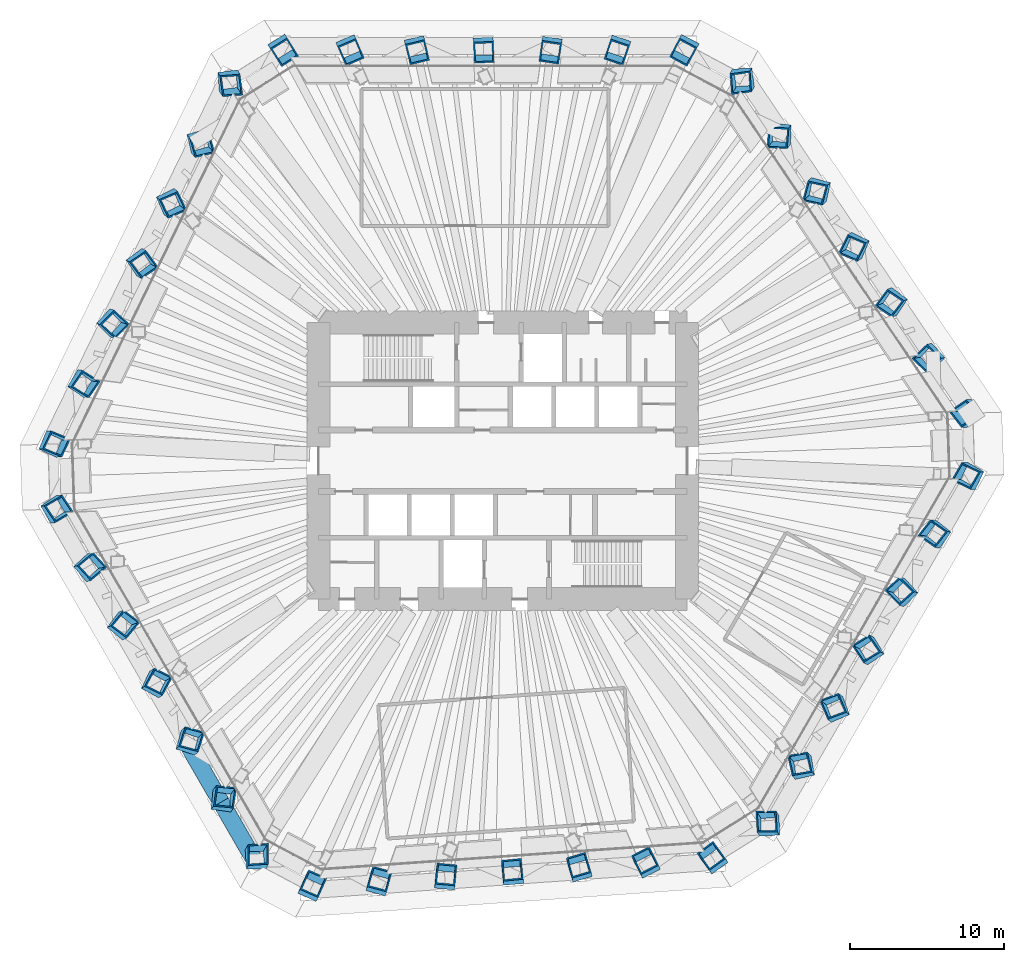
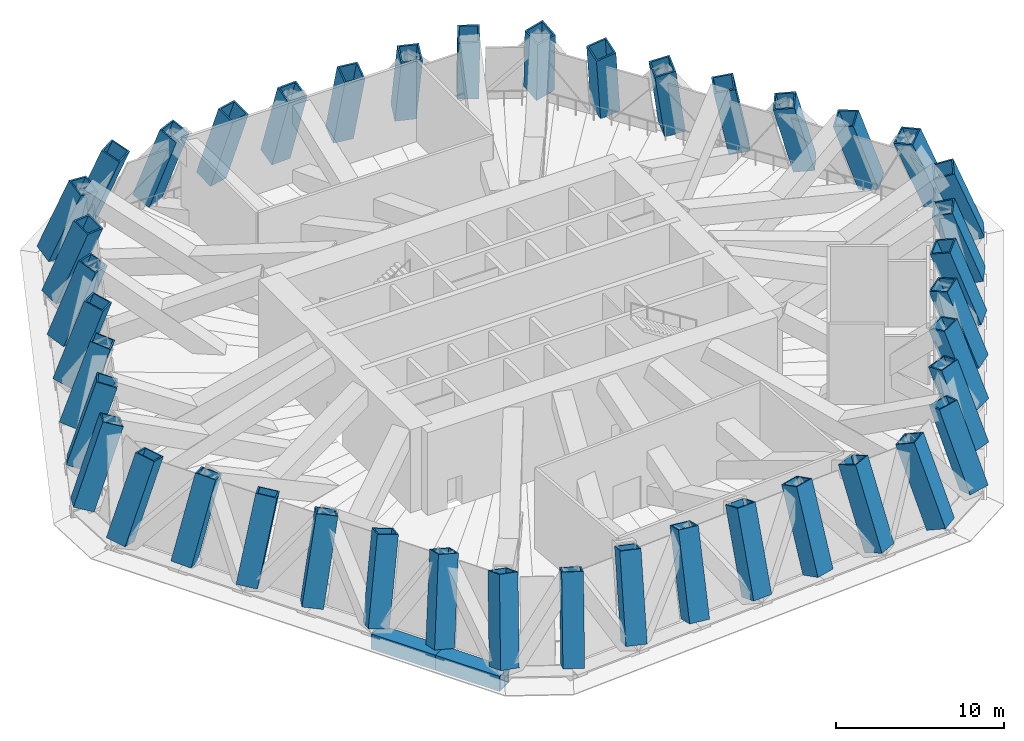
# One storey, part 1 of 12: 42 columns, 2 members.
"""IFC4 building model written with IfcOpenShell, lengths in metres."""

from ifc_helpers import new_model, si_unit, direction, frame, origin, origin_2d, place, context, subcontext, project, spatial, hollow_rectangle, extrude, clip, halfspace, material, material_profile, profile_set, type_object, element, save


model = new_model("IFC4")

# Units and contexts
model_context = context("Model", 3, precision=1e-05, world=origin(), true_north=direction((0.0, 1.0)))
body_context = subcontext(model_context, "Body", "Model", "MODEL_VIEW")
ifc_project = project(units=[si_unit("LENGTHUNIT", "METRE"), si_unit("AREAUNIT", "SQUARE_METRE"), si_unit("VOLUMEUNIT", "CUBIC_METRE"), si_unit("PLANEANGLEUNIT", "RADIAN"), si_unit("MASSUNIT", "GRAM", prefix="KILO")], contexts=[model_context])

# Site, building, storey
site_placement = place(None, origin())
site = spatial("IfcSite", under=ifc_project, at=site_placement, CompositionType="ELEMENT")
building_placement = place(site_placement, origin())
building = spatial("IfcBuilding", under=site, at=building_placement, Name="Qingtian Harvest Tower", CompositionType="ELEMENT")
storey_placement = place(building_placement, frame((0.0, 0.0, 97.0)))
storey = spatial("IfcBuildingStorey", under=building, at=storey_placement, Name="L19", CompositionType="ELEMENT", Elevation=97.0)

# Columns
ifc_material_1 = material(Name="Steel SM570MC", Category="steel")
ifc_material_profile_1 = material_profile(ifc_material_1, hollow_rectangle(XDim=1.300048828125, YDim=1.300048828125, WallThickness=0.10009765625, at=origin_2d()), Name="BOX1300x1300x100")
ifc_profile_set_1 = profile_set([ifc_material_profile_1], Name="Steel SM570MC")
column_type = type_object("IfcColumnType", Name="Raked tube column RK1 BOX1300x1300x100", PredefinedType="COLUMN", material=ifc_profile_set_1)
column_1_placement = place(storey_placement, frame((-14.471435546875, 27.0, 0.0), z_axis=(0.193855237376, -0.310228971397, 0.930686914192), x_axis=(-0.848044827073, -0.529924495824, 0.0)))
element("IfcColumn", 1, at=column_1_placement, inside=storey, type_object=column_type, Name="Raked tube column RK1 N0", PredefinedType="COLUMN", context=body_context, shape_type="Clipping", body=[
    clip(clip(extrude(hollow_rectangle(XDim=1.300048828125, YDim=1.300048828125, WallThickness=0.10009765625, at=origin_2d()), origin(), (0.0, 0.0, 1.0), 6.44677734375), halfspace(frame((0.0, 0.0, 0.255126953125), z_axis=(0.0, 0.0, -1.0), x_axis=(0.0, -1.0, 0.0)), False)), halfspace(frame((0.0, 0.0, 6.191650390625), z_axis=(0.0, 0.0, 1.0), x_axis=(0.0, 1.0, 0.0)), False)),
])
column_2_placement = place(storey_placement, frame((-10.06689453125, 27.0, 0.0), z_axis=(0.13539287358, -0.313315937958, 0.939947813873), x_axis=(-0.917958510973, -0.39667640733, 0.0)))
element("IfcColumn", 2, at=column_2_placement, inside=storey, type_object=column_type, Name="Raked tube column RK1 N1", PredefinedType="COLUMN", context=body_context, shape_type="Clipping", body=[
    clip(clip(extrude(hollow_rectangle(XDim=1.300048828125, YDim=1.300048828125, WallThickness=0.10009765625, at=origin_2d()), origin(), (0.0, 0.0, 1.0), 6.38330078125), halfspace(frame((0.0, 0.0, 0.235595703125), z_axis=(0.0, 0.0, -1.0), x_axis=(0.0, -1.0, 0.0)), False)), halfspace(frame((0.0, 0.0, 6.147705078125), z_axis=(0.0, 0.0, 1.0), x_axis=(0.0, 1.0, 0.0)), False)),
])
column_3_placement = place(storey_placement, frame((-5.662353515625, 27.0, 0.0), z_axis=(0.075482606541, -0.315325605701, 0.945976817104), x_axis=(-0.972523990796, -0.232802678949, 0.0)))
element("IfcColumn", 3, at=column_3_placement, inside=storey, type_object=column_type, Name="Raked tube column RK1 N2", PredefinedType="COLUMN", context=body_context, shape_type="Clipping", body=[
    clip(clip(extrude(hollow_rectangle(XDim=1.300048828125, YDim=1.300048828125, WallThickness=0.10009765625, at=origin_2d()), origin(), (0.0, 0.0, 1.0), 6.342529296875), halfspace(frame((0.0, 0.0, 0.222412109375), z_axis=(0.0, 0.0, -1.0), x_axis=(0.0, -1.0, 0.0)), False)), halfspace(frame((0.0, 0.0, 6.1201171875), z_axis=(0.0, 0.0, 1.0), x_axis=(0.0, 1.0, 0.0)), False)),
])
column_4_placement = place(storey_placement, frame((-1.257568359375, 27.0, 0.0), z_axis=(0.014705780072, -0.316193570465, 0.948580711394), x_axis=(-0.998920217686, -0.046458569695, 0.0)))
element("IfcColumn", 4, at=column_4_placement, inside=storey, type_object=column_type, Name="Raked tube column RK1 N3", PredefinedType="COLUMN", context=body_context, shape_type="Clipping", body=[
    clip(clip(extrude(hollow_rectangle(XDim=1.300048828125, YDim=1.300048828125, WallThickness=0.10009765625, at=origin_2d()), origin(), (0.0, 0.0, 1.0), 6.3251953125), halfspace(frame((0.0, 0.0, 0.214599609375), z_axis=(0.0, 0.0, -1.0), x_axis=(0.0, -1.0, 0.0)), False)), halfspace(frame((0.0, 0.0, 6.110595703125), z_axis=(0.0, 0.0, 1.0), x_axis=(0.0, 1.0, 0.0)), False)),
])
column_5_placement = place(storey_placement, frame((3.14697265625, 27.0, 0.0), z_axis=(-0.046195851301, -0.315890161816, 0.947670485449), x_axis=(-0.989475410036, 0.144701115872, 0.0)))
element("IfcColumn", 5, at=column_5_placement, inside=storey, type_object=column_type, Name="Raked tube column RK1 N4", PredefinedType="COLUMN", context=body_context, shape_type="Clipping", body=[
    clip(clip(extrude(hollow_rectangle(XDim=1.300048828125, YDim=1.300048828125, WallThickness=0.10009765625, at=origin_2d()), origin(), (0.0, 0.0, 1.0), 6.331298828125), halfspace(frame((0.0, 0.0, 0.218505859375), z_axis=(0.0, 0.0, -1.0), x_axis=(0.0, -1.0, 0.0)), False)), halfspace(frame((0.0, 0.0, 6.11279296875), z_axis=(0.0, 0.0, 1.0), x_axis=(0.0, 1.0, 0.0)), False)),
])
column_6_placement = place(storey_placement, frame((7.551513671875, 27.0, 0.0), z_axis=(-0.106549202468, -0.314427617657, 0.94328285297), x_axis=(-0.947099238441, 0.320940855214, 0.0)))
element("IfcColumn", 6, at=column_6_placement, inside=storey, type_object=column_type, Name="Raked tube column RK1 N5", PredefinedType="COLUMN", context=body_context, shape_type="Clipping", body=[
    clip(clip(extrude(hollow_rectangle(XDim=1.300048828125, YDim=1.300048828125, WallThickness=0.10009765625, at=origin_2d()), origin(), (0.0, 0.0, 1.0), 6.36083984375), halfspace(frame((0.0, 0.0, 0.228515625), z_axis=(0.0, 0.0, -1.0), x_axis=(0.0, -1.0, 0.0)), False)), halfspace(frame((0.0, 0.0, 6.13232421875), z_axis=(0.0, 0.0, 1.0), x_axis=(0.0, 1.0, 0.0)), False)),
])
column_7_placement = place(storey_placement, frame((11.9560546875, 27.0, 0.0), z_axis=(-0.16578544954, -0.311851757205, 0.935555271616), x_axis=(-0.882981710478, 0.469407391251, 0.0)))
element("IfcColumn", 7, at=column_7_placement, inside=storey, type_object=column_type, Name="Raked tube column RK1 N6", PredefinedType="COLUMN", context=body_context, shape_type="Clipping", body=[
    clip(clip(extrude(hollow_rectangle(XDim=1.300048828125, YDim=1.300048828125, WallThickness=0.10009765625, at=origin_2d()), origin(), (0.0, 0.0, 1.0), 6.413330078125), halfspace(frame((0.0, 0.0, 0.2451171875), z_axis=(0.0, 0.0, -1.0), x_axis=(0.0, -1.0, 0.0)), False)), halfspace(frame((0.0, 0.0, 6.168212890625), z_axis=(0.0, 0.0, 1.0), x_axis=(0.0, 1.0, 0.0)), False)),
])
column_8_placement = place(storey_placement, frame((15.6982421875, 25.01025390625, 0.0), z_axis=(-0.165822470743, -0.311849788872, 0.935549366617), x_axis=(-0.129591959705, 0.947347157407, 0.292812717163)))
element("IfcColumn", 8, at=column_8_placement, inside=storey, type_object=column_type, Name="Raked tube column RK1 NE0", PredefinedType="COLUMN", context=body_context, shape_type="Clipping", body=[
    clip(clip(extrude(hollow_rectangle(XDim=1.300048828125, YDim=1.300048828125, WallThickness=0.10009765625, at=origin_2d()), origin(), (0.0, 0.0, 1.0), 6.413330078125), halfspace(frame((0.0, 0.0, 0.27490234375), z_axis=(0.0, 0.0, -1.0), x_axis=(0.0, -1.0, 0.0)), False)), halfspace(frame((0.0, 0.0, 6.138427734375), z_axis=(0.0, 0.0, 1.0), x_axis=(0.0, 1.0, 0.0)), False)),
])
column_9_placement = place(storey_placement, frame((18.1611328125, 21.358642578125, 0.0), z_axis=(-0.201046770669, -0.264185743129, 0.943284733859), x_axis=(0.028590159268, 0.960953806647, 0.27522787701)))
element("IfcColumn", 9, at=column_9_placement, inside=storey, type_object=column_type, Name="Raked tube column RK1 NE1", PredefinedType="COLUMN", context=body_context, shape_type="Clipping", body=[
    clip(clip(extrude(hollow_rectangle(XDim=1.300048828125, YDim=1.300048828125, WallThickness=0.10009765625, at=origin_2d()), origin(), (0.0, 0.0, 1.0), 6.36083984375), halfspace(frame((0.0, 0.0, 0.242919921875), z_axis=(0.0, 0.0, -1.0), x_axis=(0.0, -1.0, 0.0)), False)), halfspace(frame((0.0, 0.0, 6.117919921875), z_axis=(0.0, 0.0, 1.0), x_axis=(0.0, 1.0, 0.0)), False)),
])
column_10_placement = place(storey_placement, frame((20.624267578125, 17.70703125, 0.0), z_axis=(-0.236070486655, -0.214900493651, 0.947675315263), x_axis=(0.204550804446, 0.942398461718, 0.264658473795)))
element("IfcColumn", 10, at=column_10_placement, inside=storey, type_object=column_type, Name="Raked tube column RK1 NE2", PredefinedType="COLUMN", context=body_context, shape_type="Clipping", body=[
    clip(clip(extrude(hollow_rectangle(XDim=1.300048828125, YDim=1.300048828125, WallThickness=0.10009765625, at=origin_2d()), origin(), (0.0, 0.0, 1.0), 6.331298828125), halfspace(frame((0.0, 0.0, 0.218505859375), z_axis=(0.0, 0.0, -1.0), x_axis=(0.0, -1.0, 0.0)), False)), halfspace(frame((0.0, 0.0, 6.11279296875), z_axis=(0.0, 0.0, 1.0), x_axis=(0.0, 1.0, 0.0)), False)),
])
column_11_placement = place(storey_placement, frame((23.08740234375, 14.0556640625, 0.0), z_axis=(-0.27037667121, -0.164619058203, 0.948576312872), x_axis=(0.380895346697, 0.886593986723, 0.262430633829)))
element("IfcColumn", 11, at=column_11_placement, inside=storey, type_object=column_type, Name="Raked tube column RK1 NE3", PredefinedType="COLUMN", context=body_context, shape_type="Clipping", body=[
    clip(clip(extrude(hollow_rectangle(XDim=1.300048828125, YDim=1.300048828125, WallThickness=0.10009765625, at=origin_2d()), origin(), (0.0, 0.0, 1.0), 6.3251953125), halfspace(frame((0.0, 0.0, 0.2109375), z_axis=(0.0, 0.0, -1.0), x_axis=(0.0, -1.0, 0.0)), False)), halfspace(frame((0.0, 0.0, 6.1142578125), z_axis=(0.0, 0.0, 1.0), x_axis=(0.0, 1.0, 0.0)), False)),
])
column_12_placement = place(storey_placement, frame((25.55029296875, 10.404052734375, 0.0), z_axis=(-0.303623148474, -0.113781697121, 0.945973947374), x_axis=(0.53814609826, 0.798836854124, 0.268809332839)))
element("IfcColumn", 12, at=column_12_placement, inside=storey, type_object=column_type, Name="Raked tube column RK1 NE4", PredefinedType="COLUMN", context=body_context, shape_type="Clipping", body=[
    clip(clip(extrude(hollow_rectangle(XDim=1.300048828125, YDim=1.300048828125, WallThickness=0.10009765625, at=origin_2d()), origin(), (0.0, 0.0, 1.0), 6.3427734375), halfspace(frame((0.0, 0.0, 0.240478515625), z_axis=(0.0, 0.0, -1.0), x_axis=(0.0, -1.0, 0.0)), False)), halfspace(frame((0.0, 0.0, 6.102294921875), z_axis=(0.0, 0.0, 1.0), x_axis=(0.0, 1.0, 0.0)), False)),
])
column_13_placement = place(storey_placement, frame((28.013427734375, 6.75244140625, 0.0), z_axis=(-0.335460878036, -0.062953894111, 0.939948299921), x_axis=(0.662742965155, 0.693327380827, 0.282964494475)))
element("IfcColumn", 13, at=column_13_placement, inside=storey, type_object=column_type, Name="Raked tube column RK1 NE5", PredefinedType="COLUMN", context=body_context, shape_type="Clipping", body=[
    clip(clip(extrude(hollow_rectangle(XDim=1.300048828125, YDim=1.300048828125, WallThickness=0.10009765625, at=origin_2d()), origin(), (0.0, 0.0, 1.0), 6.38330078125), halfspace(frame((0.0, 0.0, 0.280029296875), z_axis=(0.0, 0.0, -1.0), x_axis=(0.0, -1.0, 0.0)), False)), halfspace(frame((0.0, 0.0, 6.103271484375), z_axis=(0.0, 0.0, 1.0), x_axis=(0.0, 1.0, 0.0)), False)),
])
for number, where, z_axis, x_axis, name in (
    (14, (30.476318359375, 3.100830078125, 0.0), (-0.365594474061, -0.012762102523, 0.930686740679), (0.751596285175, 0.585770083952, 0.30327616599), "Raked tube column RK1 NE6"),
    (15, (30.618408203125, -0.96728515625, 0.0), (-0.365594474061, -0.012762102523, 0.930686740679), (0.822951012541, -0.471577128278, 0.316806949172), "Raked tube column RK1 SE0"),
):
    element("IfcColumn", number, at=place(storey_placement, frame(where, z_axis=z_axis, x_axis=x_axis)), inside=storey, type_object=column_type, Name=name, PredefinedType="COLUMN", context=body_context, shape_type="Clipping", body=[
        clip(clip(extrude(hollow_rectangle(XDim=1.300048828125, YDim=1.300048828125, WallThickness=0.10009765625, at=origin_2d()), origin(), (0.0, 0.0, 1.0), 6.44677734375), halfspace(frame((0.0, 0.0, 0.327392578125), z_axis=(0.0, 0.0, -1.0), x_axis=(0.0, -1.0, 0.0)), False)), halfspace(frame((0.0, 0.0, 6.119384765625), z_axis=(0.0, 0.0, 1.0), x_axis=(0.0, 1.0, 0.0)), False)),
    ])
column_14_placement = place(storey_placement, frame((28.416015625, -4.78173828125, 0.0), z_axis=(-0.339019884495, 0.039394232968, 0.939954047986), x_axis=(0.750871570405, -0.590615859931, 0.295575355461)))
element("IfcColumn", 16, at=column_14_placement, inside=storey, type_object=column_type, Name="Raked tube column RK1 SE1", PredefinedType="COLUMN", context=body_context, shape_type="Clipping", body=[
    clip(clip(extrude(hollow_rectangle(XDim=1.300048828125, YDim=1.300048828125, WallThickness=0.10009765625, at=origin_2d()), origin(), (0.0, 0.0, 1.0), 6.38330078125), halfspace(frame((0.0, 0.0, 0.28515625), z_axis=(0.0, 0.0, -1.0), x_axis=(0.0, -1.0, 0.0)), False)), halfspace(frame((0.0, 0.0, 6.09814453125), z_axis=(0.0, 0.0, 1.0), x_axis=(0.0, 1.0, 0.0)), False)),
])
column_15_placement = place(storey_placement, frame((26.2138671875, -8.596435546875, 0.0), z_axis=(-0.310821675411, 0.092303452339, 0.945975665005), x_axis=(0.643002166591, -0.712531180262, 0.280798025126)))
element("IfcColumn", 17, at=column_15_placement, inside=storey, type_object=column_type, Name="Raked tube column RK1 SE2", PredefinedType="COLUMN", context=body_context, shape_type="Clipping", body=[
    clip(clip(extrude(hollow_rectangle(XDim=1.300048828125, YDim=1.300048828125, WallThickness=0.10009765625, at=origin_2d()), origin(), (0.0, 0.0, 1.0), 6.3427734375), halfspace(frame((0.0, 0.0, 0.242919921875), z_axis=(0.0, 0.0, -1.0), x_axis=(0.0, -1.0, 0.0)), False)), halfspace(frame((0.0, 0.0, 6.099853515625), z_axis=(0.0, 0.0, 1.0), x_axis=(0.0, 1.0, 0.0)), False)),
])
column_16_placement = place(storey_placement, frame((24.011474609375, -12.410888671875, 0.0), z_axis=(-0.281185331584, 0.145359500171, 0.948580742484), x_axis=(0.500142058004, -0.821408540602, 0.27412758205)))
element("IfcColumn", 18, at=column_16_placement, inside=storey, type_object=column_type, Name="Raked tube column RK1 SE3", PredefinedType="COLUMN", context=body_context, shape_type="Clipping", body=[
    clip(clip(extrude(hollow_rectangle(XDim=1.300048828125, YDim=1.300048828125, WallThickness=0.10009765625, at=origin_2d()), origin(), (0.0, 0.0, 1.0), 6.3251953125), halfspace(frame((0.0, 0.0, 0.211181640625), z_axis=(0.0, 0.0, -1.0), x_axis=(0.0, -1.0, 0.0)), False)), halfspace(frame((0.0, 0.0, 6.114013671875), z_axis=(0.0, 0.0, 1.0), x_axis=(0.0, 1.0, 0.0)), False)),
])
column_17_placement = place(storey_placement, frame((21.809326171875, -16.225341796875, 0.0), z_axis=(-0.250490721891, 0.19793240078, 0.947669332081), x_axis=(0.33394448632, -0.901132039316, 0.276481695188)))
element("IfcColumn", 19, at=column_17_placement, inside=storey, type_object=column_type, Name="Raked tube column RK1 SE4", PredefinedType="COLUMN", context=body_context, shape_type="Clipping", body=[
    clip(clip(extrude(hollow_rectangle(XDim=1.300048828125, YDim=1.300048828125, WallThickness=0.10009765625, at=origin_2d()), origin(), (0.0, 0.0, 1.0), 6.331298828125), halfspace(frame((0.0, 0.0, 0.2177734375), z_axis=(0.0, 0.0, -1.0), x_axis=(0.0, -1.0, 0.0)), False)), halfspace(frame((0.0, 0.0, 6.113525390625), z_axis=(0.0, 0.0, 1.0), x_axis=(0.0, 1.0, 0.0)), False)),
])
column_18_placement = place(storey_placement, frame((19.60693359375, -20.039794921875, 0.0), z_axis=(-0.219010341057, 0.249486017678, 0.943287441607), x_axis=(0.163170656599, -0.943778965089, 0.287500611964)))
element("IfcColumn", 20, at=column_18_placement, inside=storey, type_object=column_type, Name="Raked tube column RK1 SE5", PredefinedType="COLUMN", context=body_context, shape_type="Clipping", body=[
    clip(clip(extrude(hollow_rectangle(XDim=1.300048828125, YDim=1.300048828125, WallThickness=0.10009765625, at=origin_2d()), origin(), (0.0, 0.0, 1.0), 6.36083984375), halfspace(frame((0.0, 0.0, 0.240478515625), z_axis=(0.0, 0.0, -1.0), x_axis=(0.0, -1.0, 0.0)), False)), halfspace(frame((0.0, 0.0, 6.120361328125), z_axis=(0.0, 0.0, 1.0), x_axis=(0.0, 1.0, 0.0)), False)),
])
column_19_placement = place(storey_placement, frame((17.404541015625, -23.854248046875, 0.0), z_axis=(-0.187141835255, 0.299518299388, 0.935556904645), x_axis=(0.005283960955, -0.952062036387, 0.305859377211)))
element("IfcColumn", 21, at=column_19_placement, inside=storey, type_object=column_type, Name="Raked tube column RK1 SE6", PredefinedType="COLUMN", context=body_context, shape_type="Clipping", body=[
    clip(clip(extrude(hollow_rectangle(XDim=1.300048828125, YDim=1.300048828125, WallThickness=0.10009765625, at=origin_2d()), origin(), (0.0, 0.0, 1.0), 6.413330078125), halfspace(frame((0.0, 0.0, 0.2705078125), z_axis=(0.0, 0.0, -1.0), x_axis=(0.0, -1.0, 0.0)), False)), halfspace(frame((0.0, 0.0, 6.142822265625), z_axis=(0.0, 0.0, 1.0), x_axis=(0.0, 1.0, 0.0)), False)),
])
column_20_placement = place(storey_placement, frame((13.810546875, -26.10009765625, 0.0), z_axis=(-0.187178569554, 0.299516165396, 0.935550239039), x_axis=(-0.811371218202, -0.584011761646, 0.024637543161)))
element("IfcColumn", 22, at=column_20_placement, inside=storey, type_object=column_type, Name="Raked tube column RK1 S0", PredefinedType="COLUMN", context=body_context, shape_type="Clipping", body=[
    clip(clip(extrude(hollow_rectangle(XDim=1.300048828125, YDim=1.300048828125, WallThickness=0.10009765625, at=origin_2d()), origin(), (0.0, 0.0, 1.0), 6.413330078125), halfspace(frame((0.0, 0.0, 0.247314453125), z_axis=(0.0, 0.0, -1.0), x_axis=(0.0, -1.0, 0.0)), False)), halfspace(frame((0.0, 0.0, 6.166015625), z_axis=(0.0, 0.0, 1.0), x_axis=(0.0, 1.0, 0.0)), False)),
])
column_21_placement = place(storey_placement, frame((9.41650390625, -26.407470703125, 0.0), z_axis=(-0.128235593091, 0.306214774523, 0.943285823348), x_axis=(-0.894720710854, -0.446025293529, 0.023157873405)))
element("IfcColumn", 23, at=column_21_placement, inside=storey, type_object=column_type, Name="Raked tube column RK1 S1", PredefinedType="COLUMN", context=body_context, shape_type="Clipping", body=[
    clip(clip(extrude(hollow_rectangle(XDim=1.300048828125, YDim=1.300048828125, WallThickness=0.10009765625, at=origin_2d()), origin(), (0.0, 0.0, 1.0), 6.36083984375), halfspace(frame((0.0, 0.0, 0.228759765625), z_axis=(0.0, 0.0, -1.0), x_axis=(0.0, -1.0, 0.0)), False)), halfspace(frame((0.0, 0.0, 6.132080078125), z_axis=(0.0, 0.0, 1.0), x_axis=(0.0, 1.0, 0.0)), False)),
])
column_22_placement = place(storey_placement, frame((5.022705078125, -26.714599609375, 0.0), z_axis=(-0.068098876241, 0.311882056078, 0.947677226777), x_axis=(-0.960500011412, -0.277387540935, 0.022268367958)))
element("IfcColumn", 24, at=column_22_placement, inside=storey, type_object=column_type, Name="Raked tube column RK1 S2", PredefinedType="COLUMN", context=body_context, shape_type="Clipping", body=[
    clip(clip(extrude(hollow_rectangle(XDim=1.300048828125, YDim=1.300048828125, WallThickness=0.10009765625, at=origin_2d()), origin(), (0.0, 0.0, 1.0), 6.331298828125), halfspace(frame((0.0, 0.0, 0.2158203125), z_axis=(0.0, 0.0, -1.0), x_axis=(0.0, -1.0, 0.0)), False)), halfspace(frame((0.0, 0.0, 6.115478515625), z_axis=(0.0, 0.0, 1.0), x_axis=(0.0, 1.0, 0.0)), False)),
])
column_23_placement = place(storey_placement, frame((0.62890625, -27.02197265625, 0.0), z_axis=(-0.007372155698, 0.316462327576, 0.948576431578), x_axis=(-0.995752449125, -0.089383873868, 0.022081285159)))
element("IfcColumn", 25, at=column_23_placement, inside=storey, type_object=column_type, Name="Raked tube column RK1 S3", PredefinedType="COLUMN", context=body_context, shape_type="Clipping", body=[
    clip(clip(extrude(hollow_rectangle(XDim=1.300048828125, YDim=1.300048828125, WallThickness=0.10009765625, at=origin_2d()), origin(), (0.0, 0.0, 1.0), 6.3251953125), halfspace(frame((0.0, 0.0, 0.214599609375), z_axis=(0.0, 0.0, -1.0), x_axis=(0.0, -1.0, 0.0)), False)), halfspace(frame((0.0, 0.0, 6.110595703125), z_axis=(0.0, 0.0, 1.0), x_axis=(0.0, 1.0, 0.0)), False)),
])
column_24_placement = place(storey_placement, frame((-3.76513671875, -27.3291015625, 0.0), z_axis=(0.053311800006, 0.319793815484, 0.945986134971), x_axis=(-0.99483572434, 0.098946545157, 0.022615542849)))
element("IfcColumn", 26, at=column_24_placement, inside=storey, type_object=column_type, Name="Raked tube column RK1 S4", PredefinedType="COLUMN", context=body_context, shape_type="Clipping", body=[
    clip(clip(extrude(hollow_rectangle(XDim=1.300048828125, YDim=1.300048828125, WallThickness=0.10009765625, at=origin_2d()), origin(), (0.0, 0.0, 1.0), 6.342529296875), halfspace(frame((0.0, 0.0, 0.23486328125), z_axis=(0.0, 0.0, -1.0), x_axis=(0.0, -1.0, 0.0)), False)), halfspace(frame((0.0, 0.0, 6.107666015625), z_axis=(0.0, 0.0, 1.0), x_axis=(0.0, 1.0, 0.0)), False)),
])
column_25_placement = place(storey_placement, frame((-8.158935546875, -27.636474609375, 0.0), z_axis=(0.113209802682, 0.32199774621, 0.939947334702), x_axis=(-0.962840505356, 0.269019109131, 0.023809245446)))
element("IfcColumn", 27, at=column_25_placement, inside=storey, type_object=column_type, Name="Raked tube column RK1 S5", PredefinedType="COLUMN", context=body_context, shape_type="Clipping", body=[
    clip(clip(extrude(hollow_rectangle(XDim=1.300048828125, YDim=1.300048828125, WallThickness=0.10009765625, at=origin_2d()), origin(), (0.0, 0.0, 1.0), 6.38330078125), halfspace(frame((0.0, 0.0, 0.246337890625), z_axis=(0.0, 0.0, -1.0), x_axis=(0.0, -1.0, 0.0)), False)), halfspace(frame((0.0, 0.0, 6.136962890625), z_axis=(0.0, 0.0, 1.0), x_axis=(0.0, 1.0, 0.0)), False)),
])
column_26_placement = place(storey_placement, frame((-12.552734375, -27.943603515625, 0.0), z_axis=(0.171739669238, 0.322991761617, 0.930688888908), x_axis=(-0.911273722114, 0.411009791442, 0.025517733503)))
element("IfcColumn", 28, at=column_26_placement, inside=storey, type_object=column_type, Name="Raked tube column RK1 S6", PredefinedType="COLUMN", context=body_context, shape_type="Clipping", body=[
    clip(clip(extrude(hollow_rectangle(XDim=1.300048828125, YDim=1.300048828125, WallThickness=0.10009765625, at=origin_2d()), origin(), (0.0, 0.0, 1.0), 6.44677734375), halfspace(frame((0.0, 0.0, 0.264404296875), z_axis=(0.0, 0.0, -1.0), x_axis=(0.0, -1.0, 0.0)), False)), halfspace(frame((0.0, 0.0, 6.182373046875), z_axis=(0.0, 0.0, 1.0), x_axis=(0.0, 1.0, 0.0)), False)),
])
column_27_placement = place(storey_placement, frame((-16.14697265625, -26.03271484375, 0.0), z_axis=(0.171739669238, 0.322991761617, 0.930688888908), x_axis=(-0.06307526564, 0.946392025969, -0.316802215975)))
element("IfcColumn", 29, at=column_27_placement, inside=storey, type_object=column_type, Name="Raked tube column RK1 SW0", PredefinedType="COLUMN", context=body_context, shape_type="Clipping", body=[
    clip(clip(extrude(hollow_rectangle(XDim=1.300048828125, YDim=1.300048828125, WallThickness=0.10009765625, at=origin_2d()), origin(), (0.0, 0.0, 1.0), 6.44677734375), halfspace(frame((0.0, 0.0, 0.287353515625), z_axis=(0.0, 0.0, -1.0), x_axis=(0.0, -1.0, 0.0)), False)), halfspace(frame((0.0, 0.0, 6.159423828125), z_axis=(0.0, 0.0, 1.0), x_axis=(0.0, 1.0, 0.0)), False)),
])
column_28_placement = place(storey_placement, frame((-18.349365234375, -22.21826171875, 0.0), z_axis=(0.203661608041, 0.273920082026, 0.939941348209), x_axis=(0.084442230931, 0.951570708455, -0.29560564346)))
element("IfcColumn", 30, at=column_28_placement, inside=storey, type_object=column_type, Name="Raked tube column RK1 SW1", PredefinedType="COLUMN", context=body_context, shape_type="Clipping", body=[
    clip(clip(extrude(hollow_rectangle(XDim=1.300048828125, YDim=1.300048828125, WallThickness=0.10009765625, at=origin_2d()), origin(), (0.0, 0.0, 1.0), 6.38330078125), halfspace(frame((0.0, 0.0, 0.254150390625), z_axis=(0.0, 0.0, -1.0), x_axis=(0.0, -1.0, 0.0)), False)), halfspace(frame((0.0, 0.0, 6.129150390625), z_axis=(0.0, 0.0, 1.0), x_axis=(0.0, 1.0, 0.0)), False)),
])
column_29_placement = place(storey_placement, frame((-20.551513671875, -18.403564453125, 0.0), z_axis=(0.235339962254, 0.223022528836, 0.94597888655), x_axis=(0.250715543891, 0.9264441464, -0.280789885237)))
element("IfcColumn", 31, at=column_29_placement, inside=storey, type_object=column_type, Name="Raked tube column RK1 SW2", PredefinedType="COLUMN", context=body_context, shape_type="Clipping", body=[
    clip(clip(extrude(hollow_rectangle(XDim=1.300048828125, YDim=1.300048828125, WallThickness=0.10009765625, at=origin_2d()), origin(), (0.0, 0.0, 1.0), 6.342529296875), halfspace(frame((0.0, 0.0, 0.227783203125), z_axis=(0.0, 0.0, -1.0), x_axis=(0.0, -1.0, 0.0)), False)), halfspace(frame((0.0, 0.0, 6.11474609375), z_axis=(0.0, 0.0, 1.0), x_axis=(0.0, 1.0, 0.0)), False)),
])
column_30_placement = place(storey_placement, frame((-22.75390625, -14.589111328125, 0.0), z_axis=(0.266479409897, 0.17083399018, 0.948580240096), x_axis=(0.421734247124, 0.864287902685, -0.274128885882)))
element("IfcColumn", 32, at=column_30_placement, inside=storey, type_object=column_type, Name="Raked tube column RK1 SW3", PredefinedType="COLUMN", context=body_context, shape_type="Clipping", body=[
    clip(clip(extrude(hollow_rectangle(XDim=1.300048828125, YDim=1.300048828125, WallThickness=0.10009765625, at=origin_2d()), origin(), (0.0, 0.0, 1.0), 6.3251953125), halfspace(frame((0.0, 0.0, 0.208740234375), z_axis=(0.0, 0.0, -1.0), x_axis=(0.0, -1.0, 0.0)), False)), halfspace(frame((0.0, 0.0, 6.116455078125), z_axis=(0.0, 0.0, 1.0), x_axis=(0.0, 1.0, 0.0)), False)),
])
column_31_placement = place(storey_placement, frame((-24.9560546875, -10.774658203125, 0.0), z_axis=(0.296649273987, 0.117957900575, 0.947673541857), x_axis=(0.577882690595, 0.767864214795, -0.276470872876)))
element("IfcColumn", 33, at=column_31_placement, inside=storey, type_object=column_type, Name="Raked tube column RK1 SW4", PredefinedType="COLUMN", context=body_context, shape_type="Clipping", body=[
    clip(clip(extrude(hollow_rectangle(XDim=1.300048828125, YDim=1.300048828125, WallThickness=0.10009765625, at=origin_2d()), origin(), (0.0, 0.0, 1.0), 6.331298828125), halfspace(frame((0.0, 0.0, 0.226318359375), z_axis=(0.0, 0.0, -1.0), x_axis=(0.0, -1.0, 0.0)), False)), halfspace(frame((0.0, 0.0, 6.10498046875), z_axis=(0.0, 0.0, 1.0), x_axis=(0.0, 1.0, 0.0)), False)),
])
column_32_placement = place(storey_placement, frame((-27.158447265625, -6.960205078125, 0.0), z_axis=(0.325594674833, 0.064942377675, 0.943276521123), x_axis=(0.70331880119, 0.6501312255, -0.287527483074)))
element("IfcColumn", 34, at=column_32_placement, inside=storey, type_object=column_type, Name="Raked tube column RK1 SW5", PredefinedType="COLUMN", context=body_context, shape_type="Clipping", body=[
    clip(clip(extrude(hollow_rectangle(XDim=1.300048828125, YDim=1.300048828125, WallThickness=0.10009765625, at=origin_2d()), origin(), (0.0, 0.0, 1.0), 6.36083984375), halfspace(frame((0.0, 0.0, 0.26318359375), z_axis=(0.0, 0.0, -1.0), x_axis=(0.0, -1.0, 0.0)), False)), halfspace(frame((0.0, 0.0, 6.09765625), z_axis=(0.0, 0.0, 1.0), x_axis=(0.0, 1.0, 0.0)), False)),
])
for number, where, z_axis, x_axis, name in (
    (35, (-29.36083984375, -3.145751953125, 0.0), (0.352998332332, 0.012333814265, 0.935542652366), (0.792250181312, 0.527986449645, -0.305892071167), "Raked tube column RK1 SW6"),
    (36, (-29.5087890625, 1.08984375, 0.0), (0.352998332332, 0.012333814265, 0.935542652366), (0.855654780755, -0.40874194461, -0.31746640592), "Raked tube column RK1 NW0"),
):
    element("IfcColumn", number, at=place(storey_placement, frame(where, z_axis=z_axis, x_axis=x_axis)), inside=storey, type_object=column_type, Name=name, PredefinedType="COLUMN", context=body_context, shape_type="Clipping", body=[
        clip(clip(extrude(hollow_rectangle(XDim=1.300048828125, YDim=1.300048828125, WallThickness=0.10009765625, at=origin_2d()), origin(), (0.0, 0.0, 1.0), 6.413330078125), halfspace(frame((0.0, 0.0, 0.31005859375), z_axis=(0.0, 0.0, -1.0), x_axis=(0.0, -1.0, 0.0)), False)), halfspace(frame((0.0, 0.0, 6.103271484375), z_axis=(0.0, 0.0, 1.0), x_axis=(0.0, 1.0, 0.0)), False)),
    ])
column_33_placement = place(storey_placement, frame((-27.577880859375, 5.048828125, 0.0), z_axis=(0.329319316468, -0.042066896369, 0.943281063115), x_axis=(0.78543619966, -0.542263955133, -0.298395340491)))
element("IfcColumn", 37, at=column_33_placement, inside=storey, type_object=column_type, Name="Raked tube column RK1 NW1", PredefinedType="COLUMN", context=body_context, shape_type="Clipping", body=[
    clip(clip(extrude(hollow_rectangle(XDim=1.300048828125, YDim=1.300048828125, WallThickness=0.10009765625, at=origin_2d()), origin(), (0.0, 0.0, 1.0), 6.36083984375), halfspace(frame((0.0, 0.0, 0.26708984375), z_axis=(0.0, 0.0, -1.0), x_axis=(0.0, -1.0, 0.0)), False)), halfspace(frame((0.0, 0.0, 6.09375), z_axis=(0.0, 0.0, 1.0), x_axis=(0.0, 1.0, 0.0)), False)),
])
column_34_placement = place(storey_placement, frame((-25.64697265625, 9.007568359375, 0.0), z_axis=(0.304167290681, -0.096980316438, 0.94766928699), x_axis=(0.678344568821, -0.676396463833, -0.286943321346)))
element("IfcColumn", 38, at=column_34_placement, inside=storey, type_object=column_type, Name="Raked tube column RK1 NW2", PredefinedType="COLUMN", context=body_context, shape_type="Clipping", body=[
    clip(clip(extrude(hollow_rectangle(XDim=1.300048828125, YDim=1.300048828125, WallThickness=0.10009765625, at=origin_2d()), origin(), (0.0, 0.0, 1.0), 6.331298828125), halfspace(frame((0.0, 0.0, 0.227783203125), z_axis=(0.0, 0.0, -1.0), x_axis=(0.0, -1.0, 0.0)), False)), halfspace(frame((0.0, 0.0, 6.103515625), z_axis=(0.0, 0.0, 1.0), x_axis=(0.0, 1.0, 0.0)), False)),
])
column_35_placement = place(storey_placement, frame((-23.716064453125, 12.96630859375, 0.0), z_axis=(0.277713511093, -0.151845024689, 0.948587525869), x_axis=(0.537762443987, -0.793650863143, -0.28448174154)))
element("IfcColumn", 39, at=column_35_placement, inside=storey, type_object=column_type, Name="Raked tube column RK1 NW3", PredefinedType="COLUMN", context=body_context, shape_type="Clipping", body=[
    clip(clip(extrude(hollow_rectangle(XDim=1.300048828125, YDim=1.300048828125, WallThickness=0.10009765625, at=origin_2d()), origin(), (0.0, 0.0, 1.0), 6.3251953125), halfspace(frame((0.0, 0.0, 0.20849609375), z_axis=(0.0, 0.0, -1.0), x_axis=(0.0, -1.0, 0.0)), False)), halfspace(frame((0.0, 0.0, 6.11669921875), z_axis=(0.0, 0.0, 1.0), x_axis=(0.0, 1.0, 0.0)), False)),
])
column_36_placement = place(storey_placement, frame((-21.78515625, 16.92529296875, 0.0), z_axis=(0.250312805789, -0.206085616207, 0.945976859152), x_axis=(0.377762690993, -0.878845774669, -0.291419720748)))
element("IfcColumn", 40, at=column_36_placement, inside=storey, type_object=column_type, Name="Raked tube column RK1 NW4", PredefinedType="COLUMN", context=body_context, shape_type="Clipping", body=[
    clip(clip(extrude(hollow_rectangle(XDim=1.300048828125, YDim=1.300048828125, WallThickness=0.10009765625, at=origin_2d()), origin(), (0.0, 0.0, 1.0), 6.342529296875), halfspace(frame((0.0, 0.0, 0.226318359375), z_axis=(0.0, 0.0, -1.0), x_axis=(0.0, -1.0, 0.0)), False)), halfspace(frame((0.0, 0.0, 6.1162109375), z_axis=(0.0, 0.0, 1.0), x_axis=(0.0, 1.0, 0.0)), False)),
])
column_37_placement = place(storey_placement, frame((-19.8544921875, 20.884033203125, 0.0), z_axis=(0.222250716406, -0.259043899883, 0.939947273516), x_axis=(0.217403988466, -0.926619627097, -0.306776095024)))
element("IfcColumn", 41, at=column_37_placement, inside=storey, type_object=column_type, Name="Raked tube column RK1 NW5", PredefinedType="COLUMN", context=body_context, shape_type="Clipping", body=[
    clip(clip(extrude(hollow_rectangle(XDim=1.300048828125, YDim=1.300048828125, WallThickness=0.10009765625, at=origin_2d()), origin(), (0.0, 0.0, 1.0), 6.38330078125), halfspace(frame((0.0, 0.0, 0.250732421875), z_axis=(0.0, 0.0, -1.0), x_axis=(0.0, -1.0, 0.0)), False)), halfspace(frame((0.0, 0.0, 6.132568359375), z_axis=(0.0, 0.0, 1.0), x_axis=(0.0, 1.0, 0.0)), False)),
])
column_38_placement = place(storey_placement, frame((-17.923583984375, 24.8427734375, 0.0), z_axis=(0.193855237376, -0.310228971397, 0.930686914192), x_axis=(0.071521262142, -0.94168959372, -0.328793883979)))
element("IfcColumn", 42, at=column_38_placement, inside=storey, type_object=column_type, Name="Raked tube column RK1 NW6", PredefinedType="COLUMN", context=body_context, shape_type="Clipping", body=[
    clip(clip(extrude(hollow_rectangle(XDim=1.300048828125, YDim=1.300048828125, WallThickness=0.10009765625, at=origin_2d()), origin(), (0.0, 0.0, 1.0), 6.44677734375), halfspace(frame((0.0, 0.0, 0.281982421875), z_axis=(0.0, 0.0, -1.0), x_axis=(0.0, -1.0, 0.0)), False)), halfspace(frame((0.0, 0.0, 6.164794921875), z_axis=(0.0, 0.0, 1.0), x_axis=(0.0, 1.0, 0.0)), False)),
])

# Members
ifc_material_2 = material(Name="Steel SM570MC", Category="steel")
ifc_material_profile_2 = material_profile(ifc_material_2, hollow_rectangle(XDim=1.10009765625, YDim=1.10009765625, WallThickness=0.080078125, at=origin_2d()), Name="BOX1100x1100x80")
ifc_profile_set_2 = profile_set([ifc_material_profile_2], Name="Steel SM570MC")
member_type = type_object("IfcMemberType", Name="Belt truss chord BC1 BOX1100x1100x80", PredefinedType="CHORD", material=ifc_profile_set_2)
member_1_placement = place(storey_placement, frame((-16.14697265625, -26.03271484375, -0.550048828125), z_axis=(-0.50001992892, 0.866013897511, 0.0), x_axis=(-0.866013897511, -0.50001992892, 0.0)))
element("IfcMember", 43, at=member_1_placement, inside=storey, type_object=member_type, Name="Belt chord BC1 SW0", PredefinedType="CHORD", context=body_context, shape_type="SweptSolid", body=[
    extrude(hollow_rectangle(XDim=1.10009765625, YDim=1.10009765625, WallThickness=0.080078125, at=origin_2d()), origin(), (0.0, 0.0, 1.0), 4.404541015625),
])
member_2_placement = place(storey_placement, frame((-18.349365234375, -22.21826171875, -0.550048828125), z_axis=(-0.499954356739, 0.86605175433, 0.0), x_axis=(-0.86605175433, -0.499954356739, 0.0)))
element("IfcMember", 44, at=member_2_placement, inside=storey, type_object=member_type, Name="Belt chord BC1 SW1", PredefinedType="CHORD", context=body_context, shape_type="SweptSolid", body=[
    extrude(hollow_rectangle(XDim=1.10009765625, YDim=1.10009765625, WallThickness=0.080078125, at=origin_2d()), origin(), (0.0, 0.0, 1.0), 4.40478515625),
])

save(model, "model.ifc")
